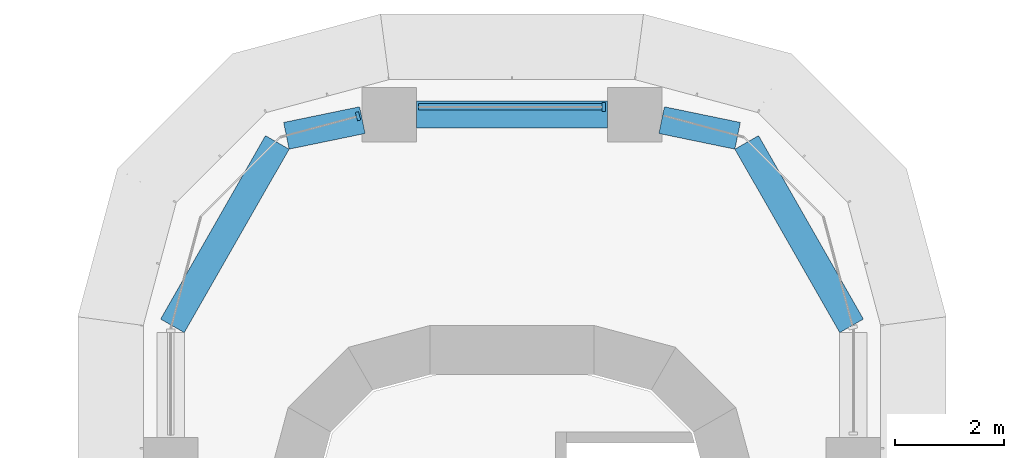
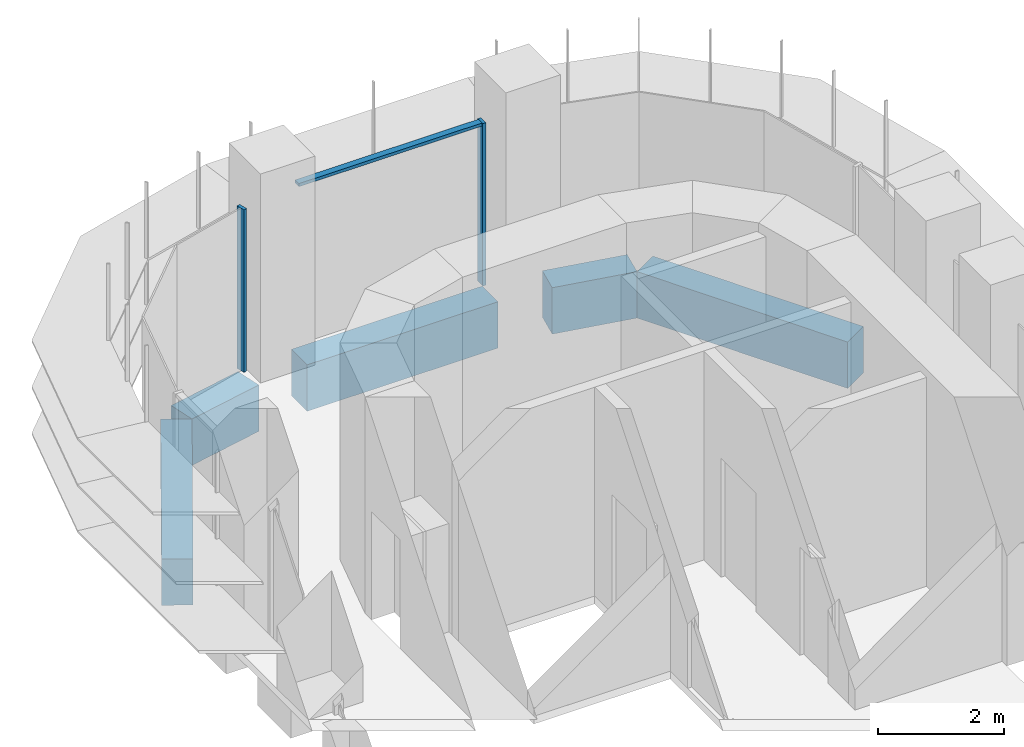
# One storey, part 12 of 23: 5 beams, 3 members, 2 elements without a shape of their own.
"""IFC4 building model written with IfcOpenShell, lengths in metres."""

import ifcopenshell
import ifcopenshell.guid

model = None  # the IFC model being written
_history = None  # IfcOwnerHistory: only IFC2X3 demands one
_inside = {}  # id of a spatial element -> (the spatial element, [elements in it])
_under = {}  # id of a project, library or spatial element -> (it, [spatial elements below it])
_declared = {}  # id of a project -> (the project, [libraries it declares])
_typed = {}  # id of a type object -> (the type object, [elements of that type])
_made_of = {}  # id of a material, layer set ... -> (it, [elements and type objects made of it])


def new_model(schema):
    """Start an empty IFC model of exactly this schema.

    Asked for "IFC4X3", IfcOpenShell would pick the latest addendum, in which some entities
    have other attributes; the version numbers below select the first issue.
    IFC2X3 requires an IfcOwnerHistory on every rooted entity: one is made here for all.
    """
    global model, _history
    if schema == "IFC4X3":
        model = ifcopenshell.file(schema_version=(4, 3, 0, 0))
    else:
        model = ifcopenshell.file(schema=schema)
    _inside.clear()
    _under.clear()
    _declared.clear()
    _typed.clear()
    _made_of.clear()
    _history = None
    if model.schema == "IFC2X3":
        org = make("IfcOrganization", Name="unknown")
        user = make(
            "IfcPersonAndOrganization",
            ThePerson=make("IfcPerson", FamilyName="unknown"),
            TheOrganization=org,
        )
        app = make(
            "IfcApplication",
            ApplicationDeveloper=org,
            Version="unknown",
            ApplicationFullName="unknown",
            ApplicationIdentifier="unknown",
        )
        _history = make(
            "IfcOwnerHistory",
            OwningUser=user,
            OwningApplication=app,
            ChangeAction="ADDED",
            CreationDate=0,
        )
    return model


def make(cls, **values):
    """One entity of the class cls with the attributes given. An attribute that is None is left unset."""
    return model.create_entity(
        cls, **{name: value for name, value in values.items() if value is not None}
    )


def rooted(cls, **values):
    """An entity with a GlobalId (a new one), such as an element, a storey or a relation."""
    return make(cls, GlobalId=ifcopenshell.guid.new(), OwnerHistory=_history, **values)


def si_unit(unit_type, name, prefix=None):
    """IfcSIUnit, for example si_unit("LENGTHUNIT", "METRE", prefix="MILLI")."""
    return make("IfcSIUnit", UnitType=unit_type, Prefix=prefix, Name=name)


def assignment(units):
    """IfcUnitAssignment: the units of a project."""
    return None if units is None else make("IfcUnitAssignment", Units=units)


def point(xyz):
    """IfcCartesianPoint."""
    return None if xyz is None else make("IfcCartesianPoint", Coordinates=xyz)


def direction(xyz):
    """IfcDirection."""
    return None if xyz is None else make("IfcDirection", DirectionRatios=xyz)


def frame(location, z_axis=None, x_axis=None):
    """IfcAxis2Placement3D, a coordinate frame: its origin and axes. An axis left out is left unset."""
    return make(
        "IfcAxis2Placement3D",
        Location=point(location),
        Axis=direction(z_axis),
        RefDirection=direction(x_axis),
    )


def frame_2d(location, x_axis=None):
    """IfcAxis2Placement2D, a coordinate frame in the plane: its origin and x axis."""
    return make(
        "IfcAxis2Placement2D", Location=point(location), RefDirection=direction(x_axis)
    )


def origin():
    """The frame at (0, 0, 0) with its axes left unset."""
    return frame((0.0, 0.0, 0.0))


def origin_2d():
    """The frame at (0, 0) in the plane with its x axis left unset."""
    return frame_2d((0.0, 0.0))


def place(relative_to, where):
    """IfcLocalPlacement: puts the frame where relative to a parent placement (None: the world)."""
    return make(
        "IfcLocalPlacement", PlacementRelTo=relative_to, RelativePlacement=where
    )


def context(
    kind, dimensions, precision=None, world=None, true_north=None, identifier=None
):
    """IfcGeometricRepresentationContext, for example the 3D "Model" context."""
    return make(
        "IfcGeometricRepresentationContext",
        ContextIdentifier=identifier,
        ContextType=kind,
        CoordinateSpaceDimension=dimensions,
        Precision=precision,
        WorldCoordinateSystem=world,
        TrueNorth=true_north,
    )


def subcontext(parent, identifier, kind, view, scale=None):
    """IfcGeometricRepresentationSubContext, for example "Body" below "Model"."""
    return make(
        "IfcGeometricRepresentationSubContext",
        ContextIdentifier=identifier,
        ContextType=kind,
        ParentContext=parent,
        TargetScale=scale,
        TargetView=view,
    )


def project(units=None, contexts=None):
    """IfcProject with its units and contexts."""
    return rooted(
        "IfcProject",
        Name="project",
        RepresentationContexts=contexts,
        UnitsInContext=assignment(units),
    )


def spatial(cls, under=None, at=None, **own):
    """A site, building, storey or space (cls), placed at a placement, below another one or the project."""
    s = rooted(cls, ObjectPlacement=at, **own)
    if under is not None:
        _under.setdefault(under.id(), (under, []))[1].append(s)
    return s


def polyline(points):
    """IfcPolyline through the points."""
    return make("IfcPolyline", Points=[point(p) for p in points])


def profile(cls, at=None, kind="AREA", **sizes):
    """A parametric profile (cls). Its sizes go by their IFC names, for example OverallWidth=200.0."""
    return make(cls, ProfileType=kind, Position=at, **sizes)


def rectangle(**sizes):
    """IfcRectangleProfileDef."""
    return profile("IfcRectangleProfileDef", **sizes)


def outline(outer, holes=None, kind="AREA"):
    """IfcArbitraryClosedProfileDef: a profile drawn as a closed curve; with holes, ...WithVoids."""
    if holes is None:
        return make("IfcArbitraryClosedProfileDef", ProfileType=kind, OuterCurve=outer)
    return make(
        "IfcArbitraryProfileDefWithVoids",
        ProfileType=kind,
        OuterCurve=outer,
        InnerCurves=holes,
    )


def extrude(swept, where, along, depth):
    """IfcExtrudedAreaSolid: the profile swept, set in the frame where, extruded along a direction by depth."""
    return make(
        "IfcExtrudedAreaSolid",
        SweptArea=swept,
        Position=where,
        ExtrudedDirection=direction(along),
        Depth=depth,
    )


def shape(context_of_items, identifier, shape_type, items):
    """IfcShapeRepresentation: the items that make up one representation, for example the "Body"."""
    return make(
        "IfcShapeRepresentation",
        ContextOfItems=context_of_items,
        RepresentationIdentifier=identifier,
        RepresentationType=shape_type,
        Items=items,
    )


def source(mapping_origin, context_of_items, identifier, shape_type, items):
    """IfcRepresentationMap: a shape defined once, which mapped items show again and again."""
    return make(
        "IfcRepresentationMap",
        MappingOrigin=mapping_origin,
        MappedRepresentation=shape(context_of_items, identifier, shape_type, items),
    )


def transform(
    local_origin,
    x_axis=None,
    y_axis=None,
    z_axis=None,
    scale=None,
    scale2=None,
    scale3=None,
    uniform=True,
):
    """IfcCartesianTransformationOperator3D, or its non-uniform kind. x_axis, y_axis, z_axis: its Axis1, 2, 3."""
    if uniform:
        return make(
            "IfcCartesianTransformationOperator3D",
            Axis1=direction(x_axis),
            Axis2=direction(y_axis),
            LocalOrigin=point(local_origin),
            Scale=scale,
            Axis3=direction(z_axis),
        )
    return make(
        "IfcCartesianTransformationOperator3DnonUniform",
        Axis1=direction(x_axis),
        Axis2=direction(y_axis),
        LocalOrigin=point(local_origin),
        Scale=scale,
        Axis3=direction(z_axis),
        Scale2=scale2,
        Scale3=scale3,
    )


def mapped(mapping_source, mapping_target):
    """IfcMappedItem: shows the shape of a source again, moved by a transform."""
    return make(
        "IfcMappedItem", MappingSource=mapping_source, MappingTarget=mapping_target
    )


def material(Name=None, Category=None):
    """IfcMaterial."""
    return make("IfcMaterial", Name=Name, Category=Category)


def material_profile(
    of_material, cross_section, Name=None, Category=None, Priority=None
):
    """IfcMaterialProfile: a cross section and its material."""
    return make(
        "IfcMaterialProfile",
        Name=Name,
        Material=of_material,
        Profile=cross_section,
        Priority=Priority,
        Category=Category,
    )


def profile_set(profiles, Name=None, composite=None):
    """IfcMaterialProfileSet."""
    return make(
        "IfcMaterialProfileSet",
        Name=Name,
        MaterialProfiles=profiles,
        CompositeProfile=composite,
    )


def made_of(thing, what):
    """Note that an element or type object is made of a material, layer set ...; save() writes the relation."""
    if what is not None:
        _made_of.setdefault(what.id(), (what, []))[1].append(thing)
    return thing


def type_object(cls, material=None, **own):
    """A type object (cls), such as IfcWallType, which elements share."""
    return made_of(rooted(cls, **own), material)


def element(
    cls,
    number,
    at=None,
    inside=None,
    cuts=None,
    type_object=None,
    material=None,
    context=None,
    identifier="Body",
    shape_type=None,
    held_by="IfcProductDefinitionShape",
    body=None,
    shapes=None,
    **own,
):
    """One element of the class cls, such as IfcWall. Its Tag is "e" and its number.

    at: its placement. inside: the storey or other place that contains it. cuts: it is an
    opening in that element (IfcRelVoidsElement). A single representation is given by context,
    identifier, shape_type and body (its items); several are given by shapes. held_by: the class
    of the entity that holds the representations. save() writes the other relations.
    """
    e = rooted(cls, Tag="e%d" % number, ObjectPlacement=at, **own)
    if body is not None:
        shapes = [shape(context, identifier, shape_type, body)]
    if shapes is not None:
        e.Representation = make(held_by, Representations=shapes)
    if inside is not None:
        _inside.setdefault(inside.id(), (inside, []))[1].append(e)
    if cuts is not None:
        rooted(
            "IfcRelVoidsElement", RelatingBuildingElement=cuts, RelatedOpeningElement=e
        )
    if type_object is not None:
        _typed.setdefault(type_object.id(), (type_object, []))[1].append(e)
    return made_of(e, material)


def aggregate(whole, parts):
    """IfcRelAggregates: a whole, such as a stair, and the parts it consists of."""
    return rooted("IfcRelAggregates", RelatingObject=whole, RelatedObjects=parts)


def save(model, path):
    """Write the relations noted so far, then the file.

    IfcRelAggregates (storeys below a building ...), IfcRelContainedInSpatialStructure (elements
    in a storey), IfcRelDefinesByType, IfcRelAssociatesMaterial and IfcRelDeclares: one each for
    every whole, place, type object, material and project.
    """
    for whole, parts in _under.values():
        aggregate(whole, parts)
    for where, things in _inside.values():
        rooted(
            "IfcRelContainedInSpatialStructure",
            RelatedElements=things,
            RelatingStructure=where,
        )
    for kind, things in _typed.values():
        rooted("IfcRelDefinesByType", RelatedObjects=things, RelatingType=kind)
    for what, things in _made_of.values():
        rooted("IfcRelAssociatesMaterial", RelatedObjects=things, RelatingMaterial=what)
    for by, libraries in _declared.values():
        rooted("IfcRelDeclares", RelatingContext=by, RelatedDefinitions=libraries)
    model.write(path)


model = new_model("IFC4")

# Units and contexts
model_context = context("Model", 3, precision=1e-05, world=origin(), true_north=direction((0.0, 1.0)))
body_context = subcontext(model_context, "Body", "Model", "MODEL_VIEW")
ifc_project = project(units=[si_unit("LENGTHUNIT", "METRE"), si_unit("AREAUNIT", "SQUARE_METRE"), si_unit("VOLUMEUNIT", "CUBIC_METRE"), si_unit("PLANEANGLEUNIT", "RADIAN"), si_unit("MASSUNIT", "GRAM", prefix="KILO")], contexts=[model_context])

# Site, building, storey
site_placement = place(None, origin())
site = spatial("IfcSite", under=ifc_project, at=site_placement, CompositionType="ELEMENT")
building_placement = place(site_placement, origin())
building = spatial("IfcBuilding", under=site, at=building_placement, Name="Zarbagh Exchange Tower", CompositionType="ELEMENT")
storey_placement = place(building_placement, frame((0.0, 0.0, 56.39990234375)))
storey = spatial("IfcBuildingStorey", under=building, at=storey_placement, Name="L12", CompositionType="ELEMENT", Elevation=56.39990234375)

# Beams
ifc_material_1 = material(Name="Concrete C60/75", Category="concrete")
ifc_material_profile = material_profile(ifc_material_1, rectangle(XDim=0.5, YDim=0.89990234375, at=origin_2d()), Name="RC spandrel beam 500 x 900 C60/75")
ifc_profile_set = profile_set([ifc_material_profile], Name="Concrete C60/75")
beam_type = type_object("IfcBeamType", Name="RC spandrel beam 500 x 900 C60/75", PredefinedType="SPANDREL", material=ifc_profile_set)
beam_1_placement = place(storey_placement, frame((-6.217041015625, 29.24169921875, -0.599853515625), z_axis=(0.496220481126, 0.868196541177, 0.0), x_axis=(-0.868196541177, 0.496220481126, 0.0)))
element("IfcBeam", 1, at=beam_1_placement, inside=storey, type_object=beam_type, Name="RC spandrel beam", PredefinedType="SPANDREL", context=body_context, shape_type="SweptSolid", body=[
    extrude(rectangle(XDim=0.5, YDim=0.89990234375, at=origin_2d()), origin(), (0.0, 0.0, 1.0), 3.869140625),
])
beam_2_placement = place(storey_placement, frame((-4.130615234375, 32.7216796875, -0.599853515625), z_axis=(0.979352054934, 0.202162193541, 0.0), x_axis=(-0.202162193541, 0.979352054934, 0.0)))
element("IfcBeam", 2, at=beam_2_placement, inside=storey, type_object=beam_type, Name="RC spandrel beam", PredefinedType="SPANDREL", context=body_context, shape_type="SweptSolid", body=[
    extrude(rectangle(XDim=0.5, YDim=0.89990234375, at=origin_2d()), origin(), (0.0, 0.0, 1.0), 1.420166015625),
])
beam_3_placement = place(storey_placement, frame((-1.75, 33.110107421875, -0.599853515625), z_axis=(1.0, 0.0, 0.0), x_axis=(0.0, 1.0, 0.0)))
element("IfcBeam", 3, at=beam_3_placement, inside=storey, type_object=beam_type, Name="RC spandrel beam", PredefinedType="SPANDREL", context=body_context, shape_type="SweptSolid", body=[
    extrude(rectangle(XDim=0.5, YDim=0.89990234375, at=origin_2d()), origin(), (0.0, 0.0, 1.0), 3.5),
])
beam_4_placement = place(storey_placement, frame((2.73974609375, 33.0087890625, -0.599853515625), z_axis=(0.979352054934, -0.202162193541, 0.0), x_axis=(0.202162193541, 0.979352054934, 0.0)))
element("IfcBeam", 4, at=beam_4_placement, inside=storey, type_object=beam_type, Name="RC spandrel beam", PredefinedType="SPANDREL", context=body_context, shape_type="SweptSolid", body=[
    extrude(rectangle(XDim=0.5, YDim=0.89990234375, at=origin_2d()), origin(), (0.0, 0.0, 1.0), 1.420166015625),
])
beam_5_placement = place(storey_placement, frame((4.297119140625, 32.600830078125, -0.599853515625), z_axis=(0.496220481126, -0.868196541177, 0.0), x_axis=(0.868196541177, 0.496220481126, 0.0)))
element("IfcBeam", 5, at=beam_5_placement, inside=storey, type_object=beam_type, Name="RC spandrel beam", PredefinedType="SPANDREL", context=body_context, shape_type="SweptSolid", body=[
    extrude(rectangle(XDim=0.5, YDim=0.89990234375, at=origin_2d()), origin(), (0.0, 0.0, 1.0), 3.869140625),
])

# Curtain wall, member
ifc_material_2 = material(Name="Anodised aluminium frame and glazing", Category="aluminium")
curtain_wall_type = type_object("IfcCurtainWallType", Name="CWA Ribbon glazing, lower zones", PredefinedType="NOTDEFINED", material=ifc_material_2)
curtain_wall_1_placement = place(storey_placement, origin())
curtain_wall_1 = element("IfcCurtainWall", 6, at=curtain_wall_1_placement, inside=storey, type_object=curtain_wall_type, Name="CWA24 curtain wall", PredefinedType="NOTDEFINED")
ifc_material_3 = material(Name="Anodised aluminium frame", Category="aluminium")
member_type_1 = type_object("IfcMemberType", Name="MUA Mullion, anodised aluminium frame", PredefinedType="MULLION", material=ifc_material_3)
shared_shape_1 = source(origin(), body_context, "Body", "SweptSolid", [
    extrude(outline(polyline([(0.0, -0.080078125), (0.06005859375, -0.080078125), (0.06005859375, 0.080078125), (0.0, 0.080078125), (0.0, -0.080078125)])), origin(), (0.0, 0.0, 1.0), 3.14990234375),
])
placement = place(storey_placement, origin())
member_1 = element("IfcMember", 7, at=placement, type_object=member_type_1, Name="CWA24 mullion 1.1", PredefinedType="MULLION", context=body_context, shape_type="MappedRepresentation", body=[
    mapped(shared_shape_1, transform((1.7099609375, 33.25, 0.0), x_axis=(-1.0, 0.0, 0.0), y_axis=(0.0, -1.0, 0.0), z_axis=(0.0, 0.0, 1.0))),
])

curtain_wall_2_placement = place(storey_placement, origin())
curtain_wall_2 = element("IfcCurtainWall", 8, at=curtain_wall_2_placement, inside=storey, type_object=curtain_wall_type, Name="CWA25 curtain wall", PredefinedType="NOTDEFINED")
member_2 = element("IfcMember", 9, at=placement, type_object=member_type_1, Name="CWA25 mullion 1.1", PredefinedType="MULLION", context=body_context, shape_type="MappedRepresentation", body=[
    mapped(shared_shape_1, transform((-2.7900390625, 33.087646484375, 0.0), x_axis=(-0.965924289636, -0.258824779902, 0.0), y_axis=(0.258824779902, -0.965924289636, 0.0), z_axis=(0.0, 0.0, 1.0))),
])
aggregate(curtain_wall_2, [member_2])

# Member
member_type_2 = type_object("IfcMemberType", Name="TRA Transom, anodised aluminium frame", PredefinedType="USERDEFINED", material=ifc_material_3)
shared_shape_2 = source(origin(), body_context, "Body", "SweptSolid", [
    extrude(outline(polyline([(-0.06005859375, -0.06005859375), (0.0, -0.06005859375), (0.0, 0.06005859375), (-0.06005859375, 0.06005859375), (-0.06005859375, -0.06005859375)])), origin(), (0.0, 0.0, 1.0), 3.360107421875),
])
member_3 = element("IfcMember", 10, at=placement, type_object=member_type_2, Name="CWA24 transom 1.1", ObjectType="TRANSOM", PredefinedType="USERDEFINED", context=body_context, shape_type="MappedRepresentation", body=[
    mapped(shared_shape_2, transform((1.64990234375, 33.25, 3.150146484375), x_axis=(0.0, 0.0, 1.0), y_axis=(0.0, 1.0, 0.0), z_axis=(-1.0, 0.0, 0.0))),
])

aggregate(curtain_wall_1, [member_1, member_3])

save(model, "model.ifc")
